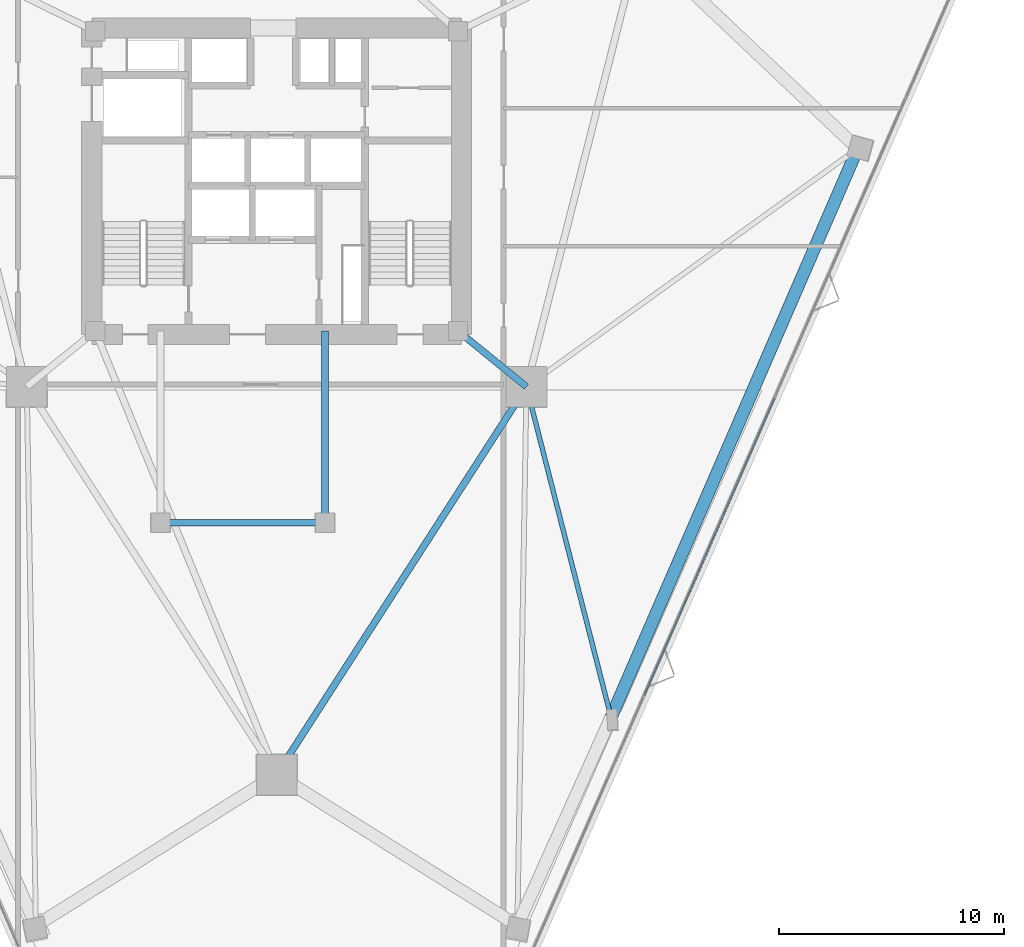
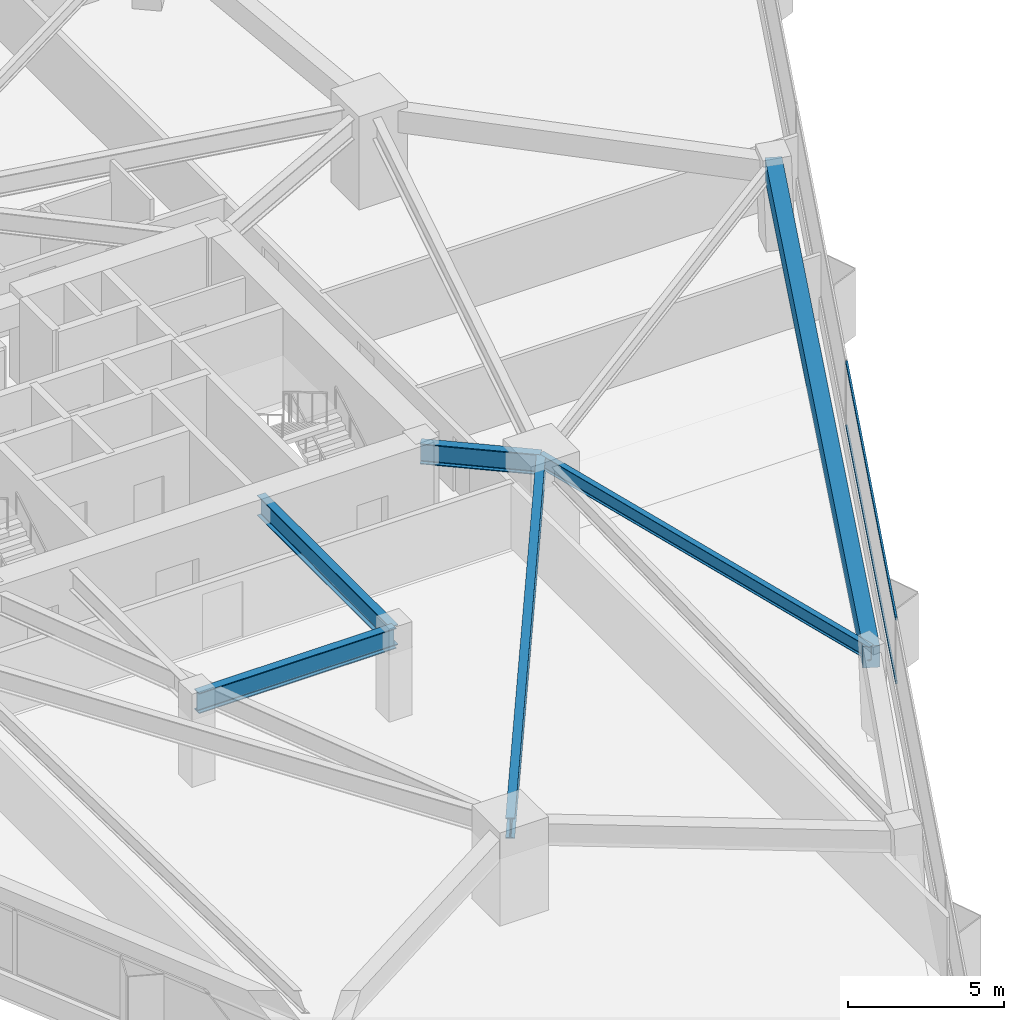
# One storey, part 8 of 21: 6 beams, 2 members, 1 element without a shape of its own.
"""IFC4 building model written with IfcOpenShell, lengths in metres."""

import ifcopenshell
import ifcopenshell.guid

model = None  # the IFC model being written
_history = None  # IfcOwnerHistory: only IFC2X3 demands one
_inside = {}  # id of a spatial element -> (the spatial element, [elements in it])
_under = {}  # id of a project, library or spatial element -> (it, [spatial elements below it])
_declared = {}  # id of a project -> (the project, [libraries it declares])
_typed = {}  # id of a type object -> (the type object, [elements of that type])
_made_of = {}  # id of a material, layer set ... -> (it, [elements and type objects made of it])


def new_model(schema):
    """Start an empty IFC model of exactly this schema.

    Asked for "IFC4X3", IfcOpenShell would pick the latest addendum, in which some entities
    have other attributes; the version numbers below select the first issue.
    IFC2X3 requires an IfcOwnerHistory on every rooted entity: one is made here for all.
    """
    global model, _history
    if schema == "IFC4X3":
        model = ifcopenshell.file(schema_version=(4, 3, 0, 0))
    else:
        model = ifcopenshell.file(schema=schema)
    _inside.clear()
    _under.clear()
    _declared.clear()
    _typed.clear()
    _made_of.clear()
    _history = None
    if model.schema == "IFC2X3":
        org = make("IfcOrganization", Name="unknown")
        user = make(
            "IfcPersonAndOrganization",
            ThePerson=make("IfcPerson", FamilyName="unknown"),
            TheOrganization=org,
        )
        app = make(
            "IfcApplication",
            ApplicationDeveloper=org,
            Version="unknown",
            ApplicationFullName="unknown",
            ApplicationIdentifier="unknown",
        )
        _history = make(
            "IfcOwnerHistory",
            OwningUser=user,
            OwningApplication=app,
            ChangeAction="ADDED",
            CreationDate=0,
        )
    return model


def make(cls, **values):
    """One entity of the class cls with the attributes given. An attribute that is None is left unset."""
    return model.create_entity(
        cls, **{name: value for name, value in values.items() if value is not None}
    )


def rooted(cls, **values):
    """An entity with a GlobalId (a new one), such as an element, a storey or a relation."""
    return make(cls, GlobalId=ifcopenshell.guid.new(), OwnerHistory=_history, **values)


def si_unit(unit_type, name, prefix=None):
    """IfcSIUnit, for example si_unit("LENGTHUNIT", "METRE", prefix="MILLI")."""
    return make("IfcSIUnit", UnitType=unit_type, Prefix=prefix, Name=name)


def assignment(units):
    """IfcUnitAssignment: the units of a project."""
    return None if units is None else make("IfcUnitAssignment", Units=units)


def point(xyz):
    """IfcCartesianPoint."""
    return None if xyz is None else make("IfcCartesianPoint", Coordinates=xyz)


def direction(xyz):
    """IfcDirection."""
    return None if xyz is None else make("IfcDirection", DirectionRatios=xyz)


def frame(location, z_axis=None, x_axis=None):
    """IfcAxis2Placement3D, a coordinate frame: its origin and axes. An axis left out is left unset."""
    return make(
        "IfcAxis2Placement3D",
        Location=point(location),
        Axis=direction(z_axis),
        RefDirection=direction(x_axis),
    )


def frame_2d(location, x_axis=None):
    """IfcAxis2Placement2D, a coordinate frame in the plane: its origin and x axis."""
    return make(
        "IfcAxis2Placement2D", Location=point(location), RefDirection=direction(x_axis)
    )


def origin():
    """The frame at (0, 0, 0) with its axes left unset."""
    return frame((0.0, 0.0, 0.0))


def origin_2d():
    """The frame at (0, 0) in the plane with its x axis left unset."""
    return frame_2d((0.0, 0.0))


def place(relative_to, where):
    """IfcLocalPlacement: puts the frame where relative to a parent placement (None: the world)."""
    return make(
        "IfcLocalPlacement", PlacementRelTo=relative_to, RelativePlacement=where
    )


def context(
    kind, dimensions, precision=None, world=None, true_north=None, identifier=None
):
    """IfcGeometricRepresentationContext, for example the 3D "Model" context."""
    return make(
        "IfcGeometricRepresentationContext",
        ContextIdentifier=identifier,
        ContextType=kind,
        CoordinateSpaceDimension=dimensions,
        Precision=precision,
        WorldCoordinateSystem=world,
        TrueNorth=true_north,
    )


def subcontext(parent, identifier, kind, view, scale=None):
    """IfcGeometricRepresentationSubContext, for example "Body" below "Model"."""
    return make(
        "IfcGeometricRepresentationSubContext",
        ContextIdentifier=identifier,
        ContextType=kind,
        ParentContext=parent,
        TargetScale=scale,
        TargetView=view,
    )


def project(units=None, contexts=None):
    """IfcProject with its units and contexts."""
    return rooted(
        "IfcProject",
        Name="project",
        RepresentationContexts=contexts,
        UnitsInContext=assignment(units),
    )


def spatial(cls, under=None, at=None, **own):
    """A site, building, storey or space (cls), placed at a placement, below another one or the project."""
    s = rooted(cls, ObjectPlacement=at, **own)
    if under is not None:
        _under.setdefault(under.id(), (under, []))[1].append(s)
    return s


def profile(cls, at=None, kind="AREA", **sizes):
    """A parametric profile (cls). Its sizes go by their IFC names, for example OverallWidth=200.0."""
    return make(cls, ProfileType=kind, Position=at, **sizes)


def rectangle(**sizes):
    """IfcRectangleProfileDef."""
    return profile("IfcRectangleProfileDef", **sizes)


def i_section(**sizes):
    """IfcIShapeProfileDef."""
    return profile("IfcIShapeProfileDef", **sizes)


def extrude(swept, where, along, depth):
    """IfcExtrudedAreaSolid: the profile swept, set in the frame where, extruded along a direction by depth."""
    return make(
        "IfcExtrudedAreaSolid",
        SweptArea=swept,
        Position=where,
        ExtrudedDirection=direction(along),
        Depth=depth,
    )


def shape(context_of_items, identifier, shape_type, items):
    """IfcShapeRepresentation: the items that make up one representation, for example the "Body"."""
    return make(
        "IfcShapeRepresentation",
        ContextOfItems=context_of_items,
        RepresentationIdentifier=identifier,
        RepresentationType=shape_type,
        Items=items,
    )


def material(Name=None, Category=None):
    """IfcMaterial."""
    return make("IfcMaterial", Name=Name, Category=Category)


def layer(
    of_material, thickness, ventilated=None, Name=None, Category=None, Priority=None
):
    """IfcMaterialLayer: one layer of a wall or slab, of a material (None: an air gap)."""
    return make(
        "IfcMaterialLayer",
        Material=of_material,
        LayerThickness=thickness,
        IsVentilated=ventilated,
        Name=Name,
        Category=Category,
        Priority=Priority,
    )


def layer_set(layers, Name=None):
    """IfcMaterialLayerSet."""
    return make("IfcMaterialLayerSet", MaterialLayers=layers, LayerSetName=Name)


def material_profile(
    of_material, cross_section, Name=None, Category=None, Priority=None
):
    """IfcMaterialProfile: a cross section and its material."""
    return make(
        "IfcMaterialProfile",
        Name=Name,
        Material=of_material,
        Profile=cross_section,
        Priority=Priority,
        Category=Category,
    )


def profile_set(profiles, Name=None, composite=None):
    """IfcMaterialProfileSet."""
    return make(
        "IfcMaterialProfileSet",
        Name=Name,
        MaterialProfiles=profiles,
        CompositeProfile=composite,
    )


def made_of(thing, what):
    """Note that an element or type object is made of a material, layer set ...; save() writes the relation."""
    if what is not None:
        _made_of.setdefault(what.id(), (what, []))[1].append(thing)
    return thing


def type_object(cls, material=None, **own):
    """A type object (cls), such as IfcWallType, which elements share."""
    return made_of(rooted(cls, **own), material)


def element(
    cls,
    number,
    at=None,
    inside=None,
    cuts=None,
    type_object=None,
    material=None,
    context=None,
    identifier="Body",
    shape_type=None,
    held_by="IfcProductDefinitionShape",
    body=None,
    shapes=None,
    **own,
):
    """One element of the class cls, such as IfcWall. Its Tag is "e" and its number.

    at: its placement. inside: the storey or other place that contains it. cuts: it is an
    opening in that element (IfcRelVoidsElement). A single representation is given by context,
    identifier, shape_type and body (its items); several are given by shapes. held_by: the class
    of the entity that holds the representations. save() writes the other relations.
    """
    e = rooted(cls, Tag="e%d" % number, ObjectPlacement=at, **own)
    if body is not None:
        shapes = [shape(context, identifier, shape_type, body)]
    if shapes is not None:
        e.Representation = make(held_by, Representations=shapes)
    if inside is not None:
        _inside.setdefault(inside.id(), (inside, []))[1].append(e)
    if cuts is not None:
        rooted(
            "IfcRelVoidsElement", RelatingBuildingElement=cuts, RelatedOpeningElement=e
        )
    if type_object is not None:
        _typed.setdefault(type_object.id(), (type_object, []))[1].append(e)
    return made_of(e, material)


def aggregate(whole, parts):
    """IfcRelAggregates: a whole, such as a stair, and the parts it consists of."""
    return rooted("IfcRelAggregates", RelatingObject=whole, RelatedObjects=parts)


def save(model, path):
    """Write the relations noted so far, then the file.

    IfcRelAggregates (storeys below a building ...), IfcRelContainedInSpatialStructure (elements
    in a storey), IfcRelDefinesByType, IfcRelAssociatesMaterial and IfcRelDeclares: one each for
    every whole, place, type object, material and project.
    """
    for whole, parts in _under.values():
        aggregate(whole, parts)
    for where, things in _inside.values():
        rooted(
            "IfcRelContainedInSpatialStructure",
            RelatedElements=things,
            RelatingStructure=where,
        )
    for kind, things in _typed.values():
        rooted("IfcRelDefinesByType", RelatedObjects=things, RelatingType=kind)
    for what, things in _made_of.values():
        rooted("IfcRelAssociatesMaterial", RelatedObjects=things, RelatingMaterial=what)
    for by, libraries in _declared.values():
        rooted("IfcRelDeclares", RelatingContext=by, RelatedDefinitions=libraries)
    model.write(path)


model = new_model("IFC4")

# Units and contexts
model_context = context("Model", 3, precision=1e-05, world=origin(), true_north=direction((0.0, 1.0)))
body_context = subcontext(model_context, "Body", "Model", "MODEL_VIEW")
ifc_project = project(units=[si_unit("LENGTHUNIT", "METRE"), si_unit("AREAUNIT", "SQUARE_METRE"), si_unit("VOLUMEUNIT", "CUBIC_METRE"), si_unit("PLANEANGLEUNIT", "RADIAN"), si_unit("MASSUNIT", "GRAM", prefix="KILO")], contexts=[model_context])

# Site, building, storey
site_placement = place(None, origin())
site = spatial("IfcSite", under=ifc_project, at=site_placement, CompositionType="ELEMENT")
building_placement = place(site_placement, origin())
building = spatial("IfcBuilding", under=site, at=building_placement, Name="Talyreon Biosciences Tower", CompositionType="ELEMENT")
storey_placement = place(building_placement, frame((0.0, 0.0, 33.75)))
storey = spatial("IfcBuildingStorey", under=building, at=storey_placement, Name="L08", CompositionType="ELEMENT", Elevation=33.75)

# Curtain wall, members
ifc_material_1 = material(Name="Thermally broken aluminium and low-E glazing", Category="aluminium")
ifc_layer = layer(ifc_material_1, 0.195068359375)
ifc_layer_set = layer_set([ifc_layer], Name="Thermally broken aluminium and low-E glazing")
curtain_wall_type = type_object("IfcCurtainWallType", Name="CurtainWall_Zone1WetLab", PredefinedType="NOTDEFINED", material=ifc_layer_set)
curtain_wall_placement = place(storey_placement, origin())
curtain_wall = element("IfcCurtainWall", 1, at=curtain_wall_placement, inside=storey, type_object=curtain_wall_type, Name="L08 Unitised Curtain Wall FCW-L08-08", PredefinedType="NOTDEFINED")
ifc_material_2 = material(Name="Anodised thermally broken aluminium", Category="aluminium")
ifc_material_profile_1 = material_profile(ifc_material_2, rectangle(XDim=0.06494140625, YDim=0.139892578125, at=origin_2d()), Name="ALUM TRANSOM 65x140")
ifc_profile_set_1 = profile_set([ifc_material_profile_1], Name="Anodised thermally broken aluminium")
member_type = type_object("IfcMemberType", Name="CWTransom_65x140", PredefinedType="USERDEFINED", material=ifc_profile_set_1)
member_1_placement = place(storey_placement, frame((88.1044921875, 58.37890625, 0.842529296875), z_axis=(-0.401223081321, -0.915980370431, 0.0), x_axis=(0.915980370431, -0.401223081321, 0.0)))
member_1 = element("IfcMember", 2, at=member_1_placement, type_object=member_type, Name="CW2 transom 3.1", ObjectType="TRANSOM", PredefinedType="USERDEFINED", context=body_context, shape_type="SweptSolid", body=[
    extrude(rectangle(XDim=0.06494140625, YDim=0.139892578125, at=origin_2d()), origin(), (0.0, 0.0, 1.0), 14.413818359375),
])
member_2_placement = place(storey_placement, frame((88.1044921875, 58.37890625, 3.342529296875), z_axis=(-0.401223081321, -0.915980370431, 0.0), x_axis=(0.915980370431, -0.401223081321, 0.0)))
member_2 = element("IfcMember", 3, at=member_2_placement, type_object=member_type, Name="CW2 transom 3.2", ObjectType="TRANSOM", PredefinedType="USERDEFINED", context=body_context, shape_type="SweptSolid", body=[
    extrude(rectangle(XDim=0.06494140625, YDim=0.139892578125, at=origin_2d()), origin(), (0.0, 0.0, 1.0), 14.413818359375),
])
aggregate(curtain_wall, [member_1, member_2])

# Beams
ifc_material_3 = material(Name="Precast concrete C45/55", Category="concrete")
ifc_material_profile_2 = material_profile(ifc_material_3, rectangle(XDim=0.550048828125, YDim=0.85009765625, at=origin_2d()), Name="RCB 550x850")
ifc_profile_set_2 = profile_set([ifc_material_profile_2], Name="Precast concrete C45/55")
beam_type_1 = type_object("IfcBeamType", Name="ExpressedSpandrel_550x850", PredefinedType="SPANDREL", material=ifc_profile_set_2)
beam_1_placement = place(storey_placement, frame((80.8388671875, 44.209228515625, 2.949951171875), z_axis=(0.397893581203, 0.91743157676, 0.0), x_axis=(-0.91743157676, 0.397893581203, 0.0)))
element("IfcBeam", 4, at=beam_1_placement, inside=storey, type_object=beam_type_1, Name="L08 Expressed Horizontal Concrete Spandrel 03", PredefinedType="SPANDREL", context=body_context, shape_type="SweptSolid", body=[
    extrude(rectangle(XDim=0.550048828125, YDim=0.85009765625, at=origin_2d()), origin(), (0.0, 0.0, 1.0), 27.510009765625),
])
ifc_material_4 = material(Name="Steel SM355", Category="steel")
ifc_material_profile_3 = material_profile(ifc_material_4, i_section(OverallWidth=0.300048828125, OverallDepth=0.800048828125, WebThickness=0.017578125, FlangeThickness=0.032958984375, FilletRadius=0.030029296875, at=origin_2d()), Name="HE800B")
ifc_profile_set_3 = profile_set([ifc_material_profile_3], Name="Steel SM355")
beam_type_2 = type_object("IfcBeamType", Name="SteelGirder_HE800B", PredefinedType="BEAM", material=ifc_profile_set_3)
beam_2_placement = place(storey_placement, frame((66.0, 41.6669921875, 2.97509765625), z_axis=(0.541463723609, 0.840724114092, 0.0), x_axis=(-0.840724114092, 0.541463723609, 0.0)))
element("IfcBeam", 5, at=beam_2_placement, inside=storey, type_object=beam_type_2, Name="L08 Mega-Ring Girder 1", PredefinedType="BEAM", context=body_context, shape_type="SweptSolid", body=[
    extrude(i_section(OverallWidth=0.300048828125, OverallDepth=0.800048828125, WebThickness=0.017578125, FlangeThickness=0.032958984375, FilletRadius=0.030029296875, at=origin_2d()), origin(), (0.0, 0.0, 1.0), 20.474365234375),
])
beam_3_placement = place(storey_placement, frame((74.050048828125, 61.35009765625, 2.97509765625), z_axis=(0.775755154013, -0.631034025249, 0.0), x_axis=(0.631034025249, 0.775755154013, 0.0)))
element("IfcBeam", 6, at=beam_3_placement, inside=storey, type_object=beam_type_2, Name="L08 Radial Primary Girder 2", PredefinedType="BEAM", context=body_context, shape_type="SweptSolid", body=[
    extrude(i_section(OverallWidth=0.300048828125, OverallDepth=0.800048828125, WebThickness=0.017578125, FlangeThickness=0.032958984375, FilletRadius=0.030029296875, at=origin_2d()), origin(), (0.0, 0.0, 1.0), 3.913818359375),
])
beam_4_placement = place(storey_placement, frame((60.85009765625, 52.840087890625, 2.97509765625), z_axis=(1.0, 0.0, 0.0), x_axis=(0.0, 1.0, 0.0)))
element("IfcBeam", 7, at=beam_4_placement, inside=storey, type_object=beam_type_2, Name="L08 Crown Shaft Spine Girder S", PredefinedType="BEAM", context=body_context, shape_type="SweptSolid", body=[
    extrude(i_section(OverallWidth=0.300048828125, OverallDepth=0.800048828125, WebThickness=0.017578125, FlangeThickness=0.032958984375, FilletRadius=0.030029296875, at=origin_2d()), origin(), (0.0, 0.0, 1.0), 7.2998046875),
])
beam_5_placement = place(storey_placement, frame((68.14990234375, 52.840087890625, 2.97509765625), z_axis=(0.0, 1.0, 0.0), x_axis=(-1.0, 0.0, 0.0)))
element("IfcBeam", 8, at=beam_5_placement, inside=storey, type_object=beam_type_2, Name="L08 Crown Shaft Tie Girder E", PredefinedType="BEAM", context=body_context, shape_type="SweptSolid", body=[
    extrude(i_section(OverallWidth=0.300048828125, OverallDepth=0.800048828125, WebThickness=0.017578125, FlangeThickness=0.032958984375, FilletRadius=0.030029296875, at=origin_2d()), origin(), (0.0, 0.0, 1.0), 8.510009765625),
])
ifc_material_profile_4 = material_profile(ifc_material_4, i_section(OverallWidth=0.2099609375, OverallDepth=0.550048828125, WebThickness=0.010986328125, FlangeThickness=0.01708984375, FilletRadius=0.02392578125, at=origin_2d()), Name="IPE550")
ifc_profile_set_4 = profile_set([ifc_material_profile_4], Name="Steel SM355")
beam_type_3 = type_object("IfcBeamType", Name="SteelJoist_IPE550", PredefinedType="JOIST", material=ifc_profile_set_4)
beam_6_placement = place(storey_placement, frame((77.086181640625, 58.88037109375, 3.10009765625), z_axis=(0.247808617059, -0.96880900559, 0.0), x_axis=(0.96880900559, 0.247808617059, 0.0)))
element("IfcBeam", 9, at=beam_6_placement, inside=storey, type_object=beam_type_3, Name="L08 Radial Composite Floor Joist PL-SE", PredefinedType="JOIST", context=body_context, shape_type="SweptSolid", body=[
    extrude(i_section(OverallWidth=0.2099609375, OverallDepth=0.550048828125, WebThickness=0.010986328125, FlangeThickness=0.01708984375, FilletRadius=0.02392578125, at=origin_2d()), origin(), (0.0, 0.0, 1.0), 15.1435546875),
])

save(model, "model.ifc")
